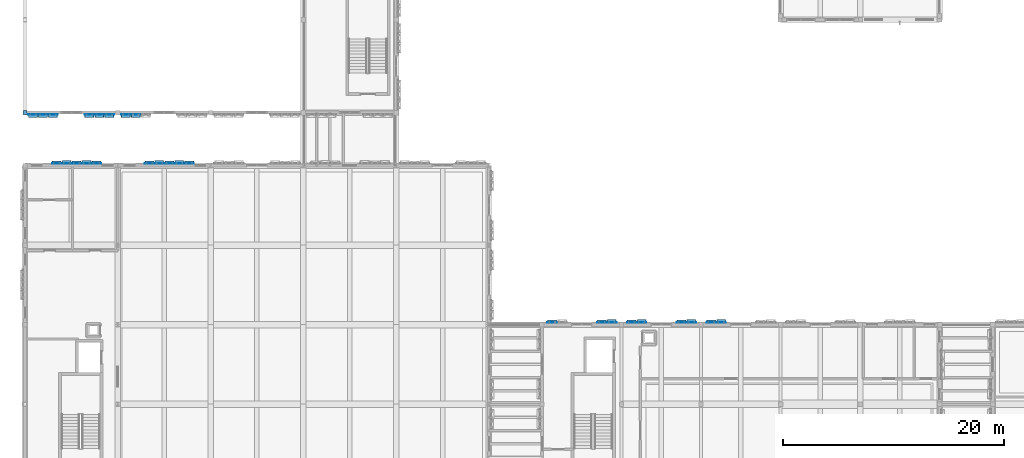
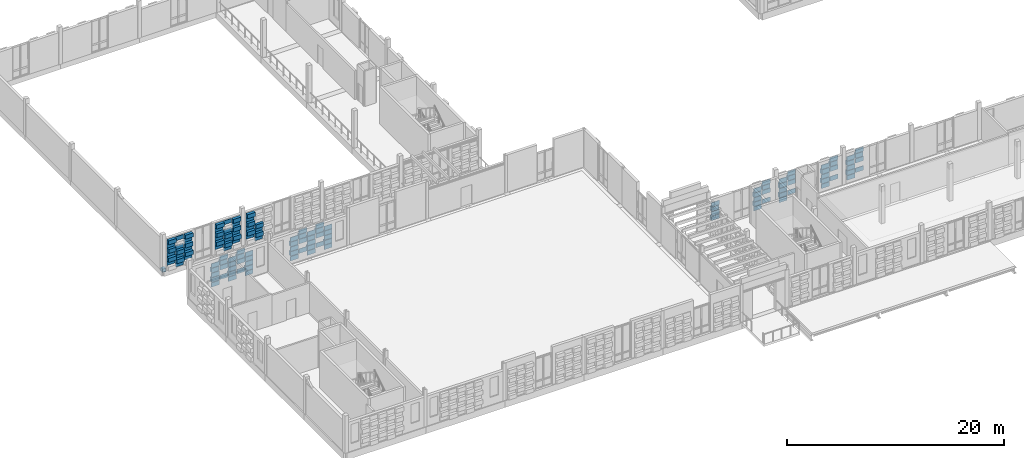
# One storey, part 57 of 99: 133 plates.
"""IFC4 building model written with IfcOpenShell, lengths in metres."""

from ifc_helpers import new_model, si_unit, direction, frame, origin, origin_2d, place, context, subcontext, project, spatial, rectangle, extrude, material, layer, layer_set, type_object, element, save


model = new_model("IFC4")

# Units and contexts
model_context = context("Model", 3, precision=1e-05, world=origin(), true_north=direction((0.0, 1.0)))
body_context = subcontext(model_context, "Body", "Model", "MODEL_VIEW")
ifc_project = project(units=[si_unit("LENGTHUNIT", "METRE"), si_unit("AREAUNIT", "SQUARE_METRE"), si_unit("VOLUMEUNIT", "CUBIC_METRE"), si_unit("PLANEANGLEUNIT", "RADIAN"), si_unit("MASSUNIT", "GRAM", prefix="KILO")], contexts=[model_context])

# Site, building, storey
site_placement = place(None, origin())
site = spatial("IfcSite", under=ifc_project, at=site_placement, CompositionType="ELEMENT")
building_placement = place(site_placement, origin())
building = spatial("IfcBuilding", under=site, at=building_placement, Name="Kahlenmark Community Centre", CompositionType="ELEMENT")
storey_placement = place(building_placement, frame((0.0, 0.0, 5.39990234375)))
storey = spatial("IfcBuildingStorey", under=building, at=storey_placement, Name="L01", CompositionType="ELEMENT", Elevation=5.39990234375)

# Plates
ifc_material_1 = material(Name="Extruded warm terracotta recessed weave tile", Category="masonry")
ifc_layer_1 = layer(ifc_material_1, 0.06005859375)
ifc_layer_set_1 = layer_set([ifc_layer_1], Name="Extruded warm terracotta recessed weave tile")
plate_type_1 = type_object("IfcPlateType", Name="PLT-TC-TC-R10-840X60X450", PredefinedType="SHEET", material=ifc_layer_set_1)
for number, where, z_axis, x_axis, name in (
    (1, (5.6298828125, 42.219970703125, 0.10009765625), (0.0, 0.0, 1.0), (1.0, 0.0, 0.0), "Basketweave terracotta cassette 0492"),
    (2, (5.6298828125, 42.219970703125, 1.080078125), (0.0, 0.0, 1.0), (1.0, 0.0, 0.0), "Basketweave terracotta cassette 0494"),
    (3, (5.6298828125, 42.219970703125, 2.06005859375), (0.0, 0.0, 1.0), (1.0, 0.0, 0.0), "Basketweave terracotta cassette 0496"),
    (4, (5.6298828125, 42.219970703125, 3.0400390625), (0.0, 0.0, 1.0), (1.0, 0.0, 0.0), "Basketweave terracotta cassette 0498"),
    (5, (10.72998046875, 42.219970703125, 0.10009765625), (0.0, 0.0, 1.0), (1.0, 0.0, 0.0), "Basketweave terracotta cassette 0513"),
    (6, (10.72998046875, 42.219970703125, 1.080078125), (0.0, 0.0, 1.0), (1.0, 0.0, 0.0), "Basketweave terracotta cassette 0515"),
    (7, (10.72998046875, 42.219970703125, 2.06005859375), (0.0, 0.0, 1.0), (1.0, 0.0, 0.0), "Basketweave terracotta cassette 0517"),
    (8, (10.72998046875, 42.219970703125, 3.0400390625), (0.0, 0.0, 1.0), (1.0, 0.0, 0.0), "Basketweave terracotta cassette 0519"),
    (9, (14.030029296875, 42.219970703125, 0.10009765625), (0.0, 0.0, 1.0), (1.0, 0.0, 0.0), "Basketweave terracotta cassette 0534"),
    (10, (14.030029296875, 42.219970703125, 1.080078125), (0.0, 0.0, 1.0), (1.0, 0.0, 0.0), "Basketweave terracotta cassette 0536"),
):
    element("IfcPlate", number, at=place(storey_placement, frame(where, z_axis=z_axis, x_axis=x_axis)), inside=storey, type_object=plate_type_1, Name=name, PredefinedType="SHEET", context=body_context, shape_type="SweptSolid", body=[
        extrude(rectangle(XDim=0.840087890625, YDim=0.06005859375, at=origin_2d()), origin(), (0.0, 0.0, 1.0), 0.449951171875),
    ])
ifc_layer_2 = layer(ifc_material_1, 0.06005859375)
ifc_layer_set_2 = layer_set([ifc_layer_2], Name="Extruded warm terracotta recessed weave tile")
plate_type_2 = type_object("IfcPlateType", Name="PLT-TC-TC-R10-840X60X468", PredefinedType="SHEET", material=ifc_layer_set_2)
for number, where, z_axis, x_axis, name in (
    (11, (56.219970703125, 23.3798828125, 0.10009765625), (0.0, 0.0, 1.0), (-1.0, 0.0, 0.0), "Basketweave terracotta cassette 1055"),
    (12, (56.219970703125, 23.3798828125, 1.1162109375), (0.0, 0.0, 1.0), (-1.0, 0.0, 0.0), "Basketweave terracotta cassette 1057"),
    (13, (56.219970703125, 23.3798828125, 2.13232421875), (0.0, 0.0, 1.0), (-1.0, 0.0, 0.0), "Basketweave terracotta cassette 1059"),
    (14, (51.719970703125, 23.3798828125, 1.1162109375), (0.0, 0.0, 1.0), (-1.0, 0.0, 0.0), "Basketweave terracotta cassette 1069"),
    (15, (51.719970703125, 23.3798828125, 2.13232421875), (0.0, 0.0, 1.0), (-1.0, 0.0, 0.0), "Basketweave terracotta cassette 1071"),
):
    element("IfcPlate", number, at=place(storey_placement, frame(where, z_axis=z_axis, x_axis=x_axis)), inside=storey, type_object=plate_type_2, Name=name, PredefinedType="SHEET", context=body_context, shape_type="SweptSolid", body=[
        extrude(rectangle(XDim=0.840087890625, YDim=0.06005859375, at=origin_2d()), origin(), (0.0, 0.0, 1.0), 0.468017578125),
    ])
ifc_layer_3 = layer(ifc_material_1, 0.06005859375)
ifc_layer_set_3 = layer_set([ifc_layer_3], Name="Extruded warm terracotta recessed weave tile")
plate_type_3 = type_object("IfcPlateType", Name="PLT-TC-TC-R10-840X60X492", PredefinedType="SHEET", material=ifc_layer_set_3)
for number, where, z_axis, x_axis, name in (
    (16, (10.469970703125, 37.780029296875, 0.10009765625), (0.0, 0.0, 1.0), (-1.0, 0.0, 0.0), "Basketweave terracotta cassette 0181"),
    (17, (10.469970703125, 37.780029296875, 1.1640625), (0.0, 0.0, 1.0), (-1.0, 0.0, 0.0), "Basketweave terracotta cassette 0183"),
    (18, (10.469970703125, 37.780029296875, 2.22802734375), (0.0, 0.0, 1.0), (-1.0, 0.0, 0.0), "Basketweave terracotta cassette 0185"),
    (19, (8.669921875, 37.780029296875, 0.10009765625), (0.0, 0.0, 1.0), (-1.0, 0.0, 0.0), "Basketweave terracotta cassette 0193"),
    (20, (8.669921875, 37.780029296875, 1.1640625), (0.0, 0.0, 1.0), (-1.0, 0.0, 0.0), "Basketweave terracotta cassette 0195"),
    (21, (8.669921875, 37.780029296875, 2.22802734375), (0.0, 0.0, 1.0), (-1.0, 0.0, 0.0), "Basketweave terracotta cassette 0197"),
    (22, (6.8701171875, 37.780029296875, 0.10009765625), (0.0, 0.0, 1.0), (-1.0, 0.0, 0.0), "Basketweave terracotta cassette 0205"),
    (23, (6.8701171875, 37.780029296875, 1.1640625), (0.0, 0.0, 1.0), (-1.0, 0.0, 0.0), "Basketweave terracotta cassette 0207"),
    (24, (6.8701171875, 37.780029296875, 2.22802734375), (0.0, 0.0, 1.0), (-1.0, 0.0, 0.0), "Basketweave terracotta cassette 0209"),
    (25, (18.8701171875, 37.780029296875, 0.10009765625), (0.0, 0.0, 1.0), (-1.0, 0.0, 0.0), "Basketweave terracotta cassette 0211"),
    (26, (18.8701171875, 37.780029296875, 1.1640625), (0.0, 0.0, 1.0), (-1.0, 0.0, 0.0), "Basketweave terracotta cassette 0213"),
    (27, (18.8701171875, 37.780029296875, 2.22802734375), (0.0, 0.0, 1.0), (-1.0, 0.0, 0.0), "Basketweave terracotta cassette 0215"),
    (28, (17.070068359375, 37.780029296875, 0.10009765625), (0.0, 0.0, 1.0), (-1.0, 0.0, 0.0), "Basketweave terracotta cassette 0223"),
    (29, (17.070068359375, 37.780029296875, 1.1640625), (0.0, 0.0, 1.0), (-1.0, 0.0, 0.0), "Basketweave terracotta cassette 0225"),
    (30, (17.070068359375, 37.780029296875, 2.22802734375), (0.0, 0.0, 1.0), (-1.0, 0.0, 0.0), "Basketweave terracotta cassette 0227"),
    (31, (15.27001953125, 37.780029296875, 0.10009765625), (0.0, 0.0, 1.0), (-1.0, 0.0, 0.0), "Basketweave terracotta cassette 0235"),
    (32, (15.27001953125, 37.780029296875, 1.1640625), (0.0, 0.0, 1.0), (-1.0, 0.0, 0.0), "Basketweave terracotta cassette 0237"),
    (33, (15.27001953125, 37.780029296875, 2.22802734375), (0.0, 0.0, 1.0), (-1.0, 0.0, 0.0), "Basketweave terracotta cassette 0239"),
):
    element("IfcPlate", number, at=place(storey_placement, frame(where, z_axis=z_axis, x_axis=x_axis)), inside=storey, type_object=plate_type_3, Name=name, PredefinedType="SHEET", context=body_context, shape_type="SweptSolid", body=[
        extrude(rectangle(XDim=0.840087890625, YDim=0.06005859375, at=origin_2d()), origin(), (0.0, 0.0, 1.0), 0.491943359375),
    ])
ifc_layer_4 = layer(ifc_material_1, 0.06005859375)
ifc_layer_set_4 = layer_set([ifc_layer_4], Name="Extruded warm terracotta recessed weave tile")
plate_type_4 = type_object("IfcPlateType", Name="PLT-TC-TC-R10-840X60X495", PredefinedType="SHEET", material=ifc_layer_set_4)
for number, where, z_axis, x_axis, name in (
    (34, (63.419921875, 23.3798828125, 0.10009765625), (0.0, 0.0, 1.0), (-1.0, 0.0, 0.0), "Basketweave terracotta cassette 1079"),
    (35, (63.419921875, 23.3798828125, 1.169921875), (0.0, 0.0, 1.0), (-1.0, 0.0, 0.0), "Basketweave terracotta cassette 1081"),
    (36, (63.419921875, 23.3798828125, 2.239990234375), (0.0, 0.0, 1.0), (-1.0, 0.0, 0.0), "Basketweave terracotta cassette 1083"),
    (37, (58.919921875, 23.3798828125, 0.10009765625), (0.0, 0.0, 1.0), (-1.0, 0.0, 0.0), "Basketweave terracotta cassette 1091"),
    (38, (58.919921875, 23.3798828125, 1.169921875), (0.0, 0.0, 1.0), (-1.0, 0.0, 0.0), "Basketweave terracotta cassette 1093"),
    (39, (58.919921875, 23.3798828125, 2.239990234375), (0.0, 0.0, 1.0), (-1.0, 0.0, 0.0), "Basketweave terracotta cassette 1095"),
    (40, (66.1201171875, 23.3798828125, 0.10009765625), (0.0, 0.0, 1.0), (-1.0, 0.0, 0.0), "Basketweave terracotta cassette 1115"),
    (41, (66.1201171875, 23.3798828125, 1.169921875), (0.0, 0.0, 1.0), (-1.0, 0.0, 0.0), "Basketweave terracotta cassette 1117"),
    (42, (66.1201171875, 23.3798828125, 2.239990234375), (0.0, 0.0, 1.0), (-1.0, 0.0, 0.0), "Basketweave terracotta cassette 1119"),
):
    element("IfcPlate", number, at=place(storey_placement, frame(where, z_axis=z_axis, x_axis=x_axis)), inside=storey, type_object=plate_type_4, Name=name, PredefinedType="SHEET", context=body_context, shape_type="SweptSolid", body=[
        extrude(rectangle(XDim=0.840087890625, YDim=0.06005859375, at=origin_2d()), origin(), (0.0, 0.0, 1.0), 0.4951171875),
    ])
ifc_layer_5 = layer(ifc_material_1, 0.06005859375)
ifc_layer_set_5 = layer_set([ifc_layer_5], Name="Extruded warm terracotta recessed weave tile")
plate_type_5 = type_object("IfcPlateType", Name="PLT-TC-TC-R10-860X60X450", PredefinedType="SHEET", material=ifc_layer_set_5)
for number, where, z_axis, x_axis, name in (
    (43, (4.72998046875, 42.219970703125, 0.59033203125), (0.0, 0.0, 1.0), (1.0, 0.0, 0.0), "Basketweave terracotta cassette 0486"),
    (44, (4.72998046875, 42.219970703125, 1.5703125), (0.0, 0.0, 1.0), (1.0, 0.0, 0.0), "Basketweave terracotta cassette 0488"),
    (45, (4.72998046875, 42.219970703125, 2.55029296875), (0.0, 0.0, 1.0), (1.0, 0.0, 0.0), "Basketweave terracotta cassette 0490"),
    (46, (6.530029296875, 42.219970703125, 0.59033203125), (0.0, 0.0, 1.0), (1.0, 0.0, 0.0), "Basketweave terracotta cassette 0500"),
    (47, (6.530029296875, 42.219970703125, 1.5703125), (0.0, 0.0, 1.0), (1.0, 0.0, 0.0), "Basketweave terracotta cassette 0502"),
    (48, (6.530029296875, 42.219970703125, 2.55029296875), (0.0, 0.0, 1.0), (1.0, 0.0, 0.0), "Basketweave terracotta cassette 0504"),
    (49, (9.830078125, 42.219970703125, 0.59033203125), (0.0, 0.0, 1.0), (1.0, 0.0, 0.0), "Basketweave terracotta cassette 0507"),
    (50, (9.830078125, 42.219970703125, 1.5703125), (0.0, 0.0, 1.0), (1.0, 0.0, 0.0), "Basketweave terracotta cassette 0509"),
    (51, (9.830078125, 42.219970703125, 2.55029296875), (0.0, 0.0, 1.0), (1.0, 0.0, 0.0), "Basketweave terracotta cassette 0511"),
    (52, (11.6298828125, 42.219970703125, 0.59033203125), (0.0, 0.0, 1.0), (1.0, 0.0, 0.0), "Basketweave terracotta cassette 0521"),
    (53, (11.6298828125, 42.219970703125, 1.5703125), (0.0, 0.0, 1.0), (1.0, 0.0, 0.0), "Basketweave terracotta cassette 0523"),
    (54, (11.6298828125, 42.219970703125, 2.55029296875), (0.0, 0.0, 1.0), (1.0, 0.0, 0.0), "Basketweave terracotta cassette 0525"),
    (55, (13.1298828125, 42.219970703125, 0.59033203125), (0.0, 0.0, 1.0), (1.0, 0.0, 0.0), "Basketweave terracotta cassette 0528"),
    (56, (13.1298828125, 42.219970703125, 1.5703125), (0.0, 0.0, 1.0), (1.0, 0.0, 0.0), "Basketweave terracotta cassette 0530"),
    (57, (13.1298828125, 42.219970703125, 2.55029296875), (0.0, 0.0, 1.0), (1.0, 0.0, 0.0), "Basketweave terracotta cassette 0532"),
):
    element("IfcPlate", number, at=place(storey_placement, frame(where, z_axis=z_axis, x_axis=x_axis)), inside=storey, type_object=plate_type_5, Name=name, PredefinedType="SHEET", context=body_context, shape_type="SweptSolid", body=[
        extrude(rectangle(XDim=0.860107421875, YDim=0.06005859375, at=origin_2d()), origin(), (0.0, 0.0, 1.0), 0.449951171875),
    ])
ifc_layer_6 = layer(ifc_material_1, 0.06005859375)
ifc_layer_set_6 = layer_set([ifc_layer_6], Name="Extruded warm terracotta recessed weave tile")
plate_type_6 = type_object("IfcPlateType", Name="PLT-TC-TC-R10-860X60X468", PredefinedType="SHEET", material=ifc_layer_set_6)
for number, where, z_axis, x_axis, name in (
    (58, (57.1201171875, 23.3798828125, 0.60791015625), (0.0, 0.0, 1.0), (-1.0, 0.0, 0.0), "Basketweave terracotta cassette 1050"),
    (59, (57.1201171875, 23.3798828125, 1.6240234375), (0.0, 0.0, 1.0), (-1.0, 0.0, 0.0), "Basketweave terracotta cassette 1052"),
    (60, (57.1201171875, 23.3798828125, 2.64013671875), (0.0, 0.0, 1.0), (-1.0, 0.0, 0.0), "Basketweave terracotta cassette 1054"),
):
    element("IfcPlate", number, at=place(storey_placement, frame(where, z_axis=z_axis, x_axis=x_axis)), inside=storey, type_object=plate_type_6, Name=name, PredefinedType="SHEET", context=body_context, shape_type="SweptSolid", body=[
        extrude(rectangle(XDim=0.860107421875, YDim=0.06005859375, at=origin_2d()), origin(), (0.0, 0.0, 1.0), 0.468017578125),
    ])
ifc_layer_7 = layer(ifc_material_1, 0.06005859375)
ifc_layer_set_7 = layer_set([ifc_layer_7], Name="Extruded warm terracotta recessed weave tile")
plate_type_7 = type_object("IfcPlateType", Name="PLT-TC-TC-R10-860X60X492", PredefinedType="SHEET", material=ifc_layer_set_7)
for number, where, z_axis, x_axis, name in (
    (61, (9.570068359375, 37.780029296875, 0.63232421875), (0.0, 0.0, 1.0), (-1.0, 0.0, 0.0), "Basketweave terracotta cassette 0188"),
    (62, (9.570068359375, 37.780029296875, 1.6962890625), (0.0, 0.0, 1.0), (-1.0, 0.0, 0.0), "Basketweave terracotta cassette 0190"),
    (63, (9.570068359375, 37.780029296875, 2.76025390625), (0.0, 0.0, 1.0), (-1.0, 0.0, 0.0), "Basketweave terracotta cassette 0192"),
    (64, (7.77001953125, 37.780029296875, 0.63232421875), (0.0, 0.0, 1.0), (-1.0, 0.0, 0.0), "Basketweave terracotta cassette 0200"),
    (65, (7.77001953125, 37.780029296875, 1.6962890625), (0.0, 0.0, 1.0), (-1.0, 0.0, 0.0), "Basketweave terracotta cassette 0202"),
    (66, (7.77001953125, 37.780029296875, 2.76025390625), (0.0, 0.0, 1.0), (-1.0, 0.0, 0.0), "Basketweave terracotta cassette 0204"),
    (67, (17.969970703125, 37.780029296875, 0.63232421875), (0.0, 0.0, 1.0), (-1.0, 0.0, 0.0), "Basketweave terracotta cassette 0218"),
    (68, (17.969970703125, 37.780029296875, 1.6962890625), (0.0, 0.0, 1.0), (-1.0, 0.0, 0.0), "Basketweave terracotta cassette 0220"),
    (69, (17.969970703125, 37.780029296875, 2.76025390625), (0.0, 0.0, 1.0), (-1.0, 0.0, 0.0), "Basketweave terracotta cassette 0222"),
    (70, (16.169921875, 37.780029296875, 0.63232421875), (0.0, 0.0, 1.0), (-1.0, 0.0, 0.0), "Basketweave terracotta cassette 0230"),
    (71, (16.169921875, 37.780029296875, 1.6962890625), (0.0, 0.0, 1.0), (-1.0, 0.0, 0.0), "Basketweave terracotta cassette 0232"),
    (72, (16.169921875, 37.780029296875, 2.76025390625), (0.0, 0.0, 1.0), (-1.0, 0.0, 0.0), "Basketweave terracotta cassette 0234"),
):
    element("IfcPlate", number, at=place(storey_placement, frame(where, z_axis=z_axis, x_axis=x_axis)), inside=storey, type_object=plate_type_7, Name=name, PredefinedType="SHEET", context=body_context, shape_type="SweptSolid", body=[
        extrude(rectangle(XDim=0.860107421875, YDim=0.06005859375, at=origin_2d()), origin(), (0.0, 0.0, 1.0), 0.491943359375),
    ])
ifc_layer_8 = layer(ifc_material_1, 0.06005859375)
ifc_layer_set_8 = layer_set([ifc_layer_8], Name="Extruded warm terracotta recessed weave tile")
plate_type_8 = type_object("IfcPlateType", Name="PLT-TC-TC-R10-860X60X495", PredefinedType="SHEET", material=ifc_layer_set_8)
for number, where, z_axis, x_axis, name in (
    (73, (64.320068359375, 23.3798828125, 0.635009765625), (0.0, 0.0, 1.0), (-1.0, 0.0, 0.0), "Basketweave terracotta cassette 1074"),
    (74, (64.320068359375, 23.3798828125, 1.705078125), (0.0, 0.0, 1.0), (-1.0, 0.0, 0.0), "Basketweave terracotta cassette 1076"),
    (75, (64.320068359375, 23.3798828125, 2.775146484375), (0.0, 0.0, 1.0), (-1.0, 0.0, 0.0), "Basketweave terracotta cassette 1078"),
    (76, (59.820068359375, 23.3798828125, 0.635009765625), (0.0, 0.0, 1.0), (-1.0, 0.0, 0.0), "Basketweave terracotta cassette 1086"),
    (77, (59.820068359375, 23.3798828125, 1.705078125), (0.0, 0.0, 1.0), (-1.0, 0.0, 0.0), "Basketweave terracotta cassette 1088"),
    (78, (59.820068359375, 23.3798828125, 2.775146484375), (0.0, 0.0, 1.0), (-1.0, 0.0, 0.0), "Basketweave terracotta cassette 1090"),
    (79, (67.02001953125, 23.3798828125, 0.635009765625), (0.0, 0.0, 1.0), (-1.0, 0.0, 0.0), "Basketweave terracotta cassette 1110"),
    (80, (67.02001953125, 23.3798828125, 1.705078125), (0.0, 0.0, 1.0), (-1.0, 0.0, 0.0), "Basketweave terracotta cassette 1112"),
    (81, (67.02001953125, 23.3798828125, 2.775146484375), (0.0, 0.0, 1.0), (-1.0, 0.0, 0.0), "Basketweave terracotta cassette 1114"),
):
    element("IfcPlate", number, at=place(storey_placement, frame(where, z_axis=z_axis, x_axis=x_axis)), inside=storey, type_object=plate_type_8, Name=name, PredefinedType="SHEET", context=body_context, shape_type="SweptSolid", body=[
        extrude(rectangle(XDim=0.860107421875, YDim=0.06005859375, at=origin_2d()), origin(), (0.0, 0.0, 1.0), 0.4951171875),
    ])
ifc_material_2 = material(Name="Extruded glazed terracotta weave cassette", Category="masonry")
ifc_layer_9 = layer(ifc_material_2, 0.300048828125)
ifc_layer_set_9 = layer_set([ifc_layer_9], Name="Extruded glazed terracotta weave cassette")
plate_type_9 = type_object("IfcPlateType", Name="PLT-TC-TC-R34-780X300X450", PredefinedType="SHEET", material=ifc_layer_set_9)
for number, where, z_axis, x_axis, name in (
    (82, (4.72998046875, 42.10009765625, 2.06005859375), (0.0, 0.0, 1.0), (1.0, 0.0, 0.0), "Basketweave terracotta cassette 0489"),
    (83, (6.530029296875, 42.10009765625, 2.06005859375), (0.0, 0.0, 1.0), (1.0, 0.0, 0.0), "Basketweave terracotta cassette 0503"),
    (84, (9.830078125, 42.10009765625, 2.06005859375), (0.0, 0.0, 1.0), (1.0, 0.0, 0.0), "Basketweave terracotta cassette 0510"),
    (85, (11.6298828125, 42.10009765625, 2.06005859375), (0.0, 0.0, 1.0), (1.0, 0.0, 0.0), "Basketweave terracotta cassette 0524"),
    (86, (13.1298828125, 42.10009765625, 2.06005859375), (0.0, 0.0, 1.0), (1.0, 0.0, 0.0), "Basketweave terracotta cassette 0531"),
):
    element("IfcPlate", number, at=place(storey_placement, frame(where, z_axis=z_axis, x_axis=x_axis)), inside=storey, type_object=plate_type_9, Name=name, PredefinedType="SHEET", context=body_context, shape_type="SweptSolid", body=[
        extrude(rectangle(XDim=0.780029296875, YDim=0.300048828125, at=origin_2d()), origin(), (0.0, 0.0, 1.0), 0.449951171875),
    ])
ifc_layer_10 = layer(ifc_material_2, 0.300048828125)
ifc_layer_set_10 = layer_set([ifc_layer_10], Name="Extruded glazed terracotta weave cassette")
plate_type_10 = type_object("IfcPlateType", Name="PLT-TC-TC-R34-780X300X468", PredefinedType="SHEET", material=ifc_layer_set_10)
plate_1_placement = place(storey_placement, frame((57.1201171875, 23.5, 2.13232421875), z_axis=(0.0, 0.0, 1.0), x_axis=(-1.0, 0.0, 0.0)))
element("IfcPlate", 87, at=plate_1_placement, inside=storey, type_object=plate_type_10, Name="Basketweave terracotta cassette 1053", PredefinedType="SHEET", context=body_context, shape_type="SweptSolid", body=[
    extrude(rectangle(XDim=0.780029296875, YDim=0.300048828125, at=origin_2d()), origin(), (0.0, 0.0, 1.0), 0.468017578125),
])
ifc_layer_11 = layer(ifc_material_2, 0.300048828125)
ifc_layer_set_11 = layer_set([ifc_layer_11], Name="Extruded glazed terracotta weave cassette")
plate_type_11 = type_object("IfcPlateType", Name="PLT-TC-TC-R34-780X300X492", PredefinedType="SHEET", material=ifc_layer_set_11)
for number, where, z_axis, x_axis, name in (
    (88, (9.570068359375, 37.89990234375, 2.22802734375), (0.0, 0.0, 1.0), (-1.0, 0.0, 0.0), "Basketweave terracotta cassette 0191"),
    (89, (7.77001953125, 37.89990234375, 2.22802734375), (0.0, 0.0, 1.0), (-1.0, 0.0, 0.0), "Basketweave terracotta cassette 0203"),
    (90, (17.969970703125, 37.89990234375, 2.22802734375), (0.0, 0.0, 1.0), (-1.0, 0.0, 0.0), "Basketweave terracotta cassette 0221"),
    (91, (16.169921875, 37.89990234375, 2.22802734375), (0.0, 0.0, 1.0), (-1.0, 0.0, 0.0), "Basketweave terracotta cassette 0233"),
):
    element("IfcPlate", number, at=place(storey_placement, frame(where, z_axis=z_axis, x_axis=x_axis)), inside=storey, type_object=plate_type_11, Name=name, PredefinedType="SHEET", context=body_context, shape_type="SweptSolid", body=[
        extrude(rectangle(XDim=0.780029296875, YDim=0.300048828125, at=origin_2d()), origin(), (0.0, 0.0, 1.0), 0.491943359375),
    ])
ifc_layer_12 = layer(ifc_material_2, 0.300048828125)
ifc_layer_set_12 = layer_set([ifc_layer_12], Name="Extruded glazed terracotta weave cassette")
plate_type_12 = type_object("IfcPlateType", Name="PLT-TC-TC-R34-780X300X495", PredefinedType="SHEET", material=ifc_layer_set_12)
for number, where, z_axis, x_axis, name in (
    (92, (64.320068359375, 23.5, 2.239990234375), (0.0, 0.0, 1.0), (-1.0, 0.0, 0.0), "Basketweave terracotta cassette 1077"),
    (93, (59.820068359375, 23.5, 2.239990234375), (0.0, 0.0, 1.0), (-1.0, 0.0, 0.0), "Basketweave terracotta cassette 1089"),
    (94, (67.02001953125, 23.5, 2.239990234375), (0.0, 0.0, 1.0), (-1.0, 0.0, 0.0), "Basketweave terracotta cassette 1113"),
):
    element("IfcPlate", number, at=place(storey_placement, frame(where, z_axis=z_axis, x_axis=x_axis)), inside=storey, type_object=plate_type_12, Name=name, PredefinedType="SHEET", context=body_context, shape_type="SweptSolid", body=[
        extrude(rectangle(XDim=0.780029296875, YDim=0.300048828125, at=origin_2d()), origin(), (0.0, 0.0, 1.0), 0.4951171875),
    ])
ifc_layer_13 = layer(ifc_material_2, 0.300048828125)
ifc_layer_set_13 = layer_set([ifc_layer_13], Name="Extruded glazed terracotta weave cassette")
plate_type_13 = type_object("IfcPlateType", Name="PLT-TC-TC-R34-820X300X450", PredefinedType="SHEET", material=ifc_layer_set_13)
for number, where, z_axis, x_axis, name in (
    (95, (4.72998046875, 42.10009765625, 3.0400390625), (0.0, 0.0, 1.0), (1.0, 0.0, 0.0), "Basketweave terracotta cassette 0491"),
    (96, (6.530029296875, 42.10009765625, 3.0400390625), (0.0, 0.0, 1.0), (1.0, 0.0, 0.0), "Basketweave terracotta cassette 0505"),
    (97, (9.830078125, 42.10009765625, 3.0400390625), (0.0, 0.0, 1.0), (1.0, 0.0, 0.0), "Basketweave terracotta cassette 0512"),
    (98, (11.6298828125, 42.10009765625, 3.0400390625), (0.0, 0.0, 1.0), (1.0, 0.0, 0.0), "Basketweave terracotta cassette 0526"),
    (99, (13.1298828125, 42.10009765625, 3.0400390625), (0.0, 0.0, 1.0), (1.0, 0.0, 0.0), "Basketweave terracotta cassette 0533"),
):
    element("IfcPlate", number, at=place(storey_placement, frame(where, z_axis=z_axis, x_axis=x_axis)), inside=storey, type_object=plate_type_13, Name=name, PredefinedType="SHEET", context=body_context, shape_type="SweptSolid", body=[
        extrude(rectangle(XDim=0.820068359375, YDim=0.300048828125, at=origin_2d()), origin(), (0.0, 0.0, 1.0), 0.449951171875),
    ])
ifc_layer_14 = layer(ifc_material_2, 0.300048828125)
ifc_layer_set_14 = layer_set([ifc_layer_14], Name="Extruded glazed terracotta weave cassette")
plate_type_14 = type_object("IfcPlateType", Name="PLT-TC-TC-R34-840X300X450", PredefinedType="SHEET", material=ifc_layer_set_14)
for number, where, z_axis, x_axis, name in (
    (100, (4.72998046875, 42.10009765625, 1.080078125), (0.0, 0.0, 1.0), (1.0, 0.0, 0.0), "Basketweave terracotta cassette 0487"),
    (101, (6.530029296875, 42.10009765625, 1.080078125), (0.0, 0.0, 1.0), (1.0, 0.0, 0.0), "Basketweave terracotta cassette 0501"),
    (102, (9.830078125, 42.10009765625, 1.080078125), (0.0, 0.0, 1.0), (1.0, 0.0, 0.0), "Basketweave terracotta cassette 0508"),
    (103, (11.6298828125, 42.10009765625, 1.080078125), (0.0, 0.0, 1.0), (1.0, 0.0, 0.0), "Basketweave terracotta cassette 0522"),
    (104, (13.1298828125, 42.10009765625, 1.080078125), (0.0, 0.0, 1.0), (1.0, 0.0, 0.0), "Basketweave terracotta cassette 0529"),
):
    element("IfcPlate", number, at=place(storey_placement, frame(where, z_axis=z_axis, x_axis=x_axis)), inside=storey, type_object=plate_type_14, Name=name, PredefinedType="SHEET", context=body_context, shape_type="SweptSolid", body=[
        extrude(rectangle(XDim=0.840087890625, YDim=0.300048828125, at=origin_2d()), origin(), (0.0, 0.0, 1.0), 0.449951171875),
    ])
ifc_layer_15 = layer(ifc_material_2, 0.280029296875)
ifc_layer_set_15 = layer_set([ifc_layer_15], Name="Extruded glazed terracotta weave cassette")
plate_type_15 = type_object("IfcPlateType", Name="PLT-TC-TC-W30-800X280X450", PredefinedType="SHEET", material=ifc_layer_set_15)
for number, where, z_axis, x_axis, name in (
    (105, (5.6298828125, 42.110107421875, 1.5703125), (0.0, 0.0, 1.0), (1.0, 0.0, 0.0), "Basketweave terracotta cassette 0495"),
    (106, (10.72998046875, 42.110107421875, 1.5703125), (0.0, 0.0, 1.0), (1.0, 0.0, 0.0), "Basketweave terracotta cassette 0516"),
    (107, (14.030029296875, 42.110107421875, 1.5703125), (0.0, 0.0, 1.0), (1.0, 0.0, 0.0), "Basketweave terracotta cassette 0537"),
):
    element("IfcPlate", number, at=place(storey_placement, frame(where, z_axis=z_axis, x_axis=x_axis)), inside=storey, type_object=plate_type_15, Name=name, PredefinedType="SHEET", context=body_context, shape_type="SweptSolid", body=[
        extrude(rectangle(XDim=0.800048828125, YDim=0.280029296875, at=origin_2d()), origin(), (0.0, 0.0, 1.0), 0.449951171875),
    ])
ifc_layer_16 = layer(ifc_material_2, 0.280029296875)
ifc_layer_set_16 = layer_set([ifc_layer_16], Name="Extruded glazed terracotta weave cassette")
plate_type_16 = type_object("IfcPlateType", Name="PLT-TC-TC-W30-800X280X468", PredefinedType="SHEET", material=ifc_layer_set_16)
for number, where, z_axis, x_axis, name in (
    (108, (56.219970703125, 23.489990234375, 1.6240234375), (0.0, 0.0, 1.0), (-1.0, 0.0, 0.0), "Basketweave terracotta cassette 1058"),
    (109, (51.719970703125, 23.489990234375, 1.6240234375), (0.0, 0.0, 1.0), (-1.0, 0.0, 0.0), "Basketweave terracotta cassette 1070"),
):
    element("IfcPlate", number, at=place(storey_placement, frame(where, z_axis=z_axis, x_axis=x_axis)), inside=storey, type_object=plate_type_16, Name=name, PredefinedType="SHEET", context=body_context, shape_type="SweptSolid", body=[
        extrude(rectangle(XDim=0.800048828125, YDim=0.280029296875, at=origin_2d()), origin(), (0.0, 0.0, 1.0), 0.468017578125),
    ])
ifc_layer_17 = layer(ifc_material_2, 0.280029296875)
ifc_layer_set_17 = layer_set([ifc_layer_17], Name="Extruded glazed terracotta weave cassette")
plate_type_17 = type_object("IfcPlateType", Name="PLT-TC-TC-W30-800X280X492", PredefinedType="SHEET", material=ifc_layer_set_17)
for number, where, z_axis, x_axis, name in (
    (110, (10.469970703125, 37.889892578125, 1.6962890625), (0.0, 0.0, 1.0), (-1.0, 0.0, 0.0), "Basketweave terracotta cassette 0184"),
    (111, (8.669921875, 37.889892578125, 1.6962890625), (0.0, 0.0, 1.0), (-1.0, 0.0, 0.0), "Basketweave terracotta cassette 0196"),
    (112, (6.8701171875, 37.889892578125, 1.6962890625), (0.0, 0.0, 1.0), (-1.0, 0.0, 0.0), "Basketweave terracotta cassette 0208"),
    (113, (18.8701171875, 37.889892578125, 1.6962890625), (0.0, 0.0, 1.0), (-1.0, 0.0, 0.0), "Basketweave terracotta cassette 0214"),
    (114, (17.070068359375, 37.889892578125, 1.6962890625), (0.0, 0.0, 1.0), (-1.0, 0.0, 0.0), "Basketweave terracotta cassette 0226"),
    (115, (15.27001953125, 37.889892578125, 1.6962890625), (0.0, 0.0, 1.0), (-1.0, 0.0, 0.0), "Basketweave terracotta cassette 0238"),
):
    element("IfcPlate", number, at=place(storey_placement, frame(where, z_axis=z_axis, x_axis=x_axis)), inside=storey, type_object=plate_type_17, Name=name, PredefinedType="SHEET", context=body_context, shape_type="SweptSolid", body=[
        extrude(rectangle(XDim=0.800048828125, YDim=0.280029296875, at=origin_2d()), origin(), (0.0, 0.0, 1.0), 0.491943359375),
    ])
ifc_layer_18 = layer(ifc_material_2, 0.280029296875)
ifc_layer_set_18 = layer_set([ifc_layer_18], Name="Extruded glazed terracotta weave cassette")
plate_type_18 = type_object("IfcPlateType", Name="PLT-TC-TC-W30-800X280X495", PredefinedType="SHEET", material=ifc_layer_set_18)
for number, where, z_axis, x_axis, name in (
    (116, (63.419921875, 23.489990234375, 1.705078125), (0.0, 0.0, 1.0), (-1.0, 0.0, 0.0), "Basketweave terracotta cassette 1082"),
    (117, (58.919921875, 23.489990234375, 1.705078125), (0.0, 0.0, 1.0), (-1.0, 0.0, 0.0), "Basketweave terracotta cassette 1094"),
    (118, (66.1201171875, 23.489990234375, 1.705078125), (0.0, 0.0, 1.0), (-1.0, 0.0, 0.0), "Basketweave terracotta cassette 1118"),
):
    element("IfcPlate", number, at=place(storey_placement, frame(where, z_axis=z_axis, x_axis=x_axis)), inside=storey, type_object=plate_type_18, Name=name, PredefinedType="SHEET", context=body_context, shape_type="SweptSolid", body=[
        extrude(rectangle(XDim=0.800048828125, YDim=0.280029296875, at=origin_2d()), origin(), (0.0, 0.0, 1.0), 0.4951171875),
    ])
ifc_layer_19 = layer(ifc_material_2, 0.280029296875)
ifc_layer_set_19 = layer_set([ifc_layer_19], Name="Extruded glazed terracotta weave cassette")
plate_type_19 = type_object("IfcPlateType", Name="PLT-TC-TC-W30-820X280X450", PredefinedType="SHEET", material=ifc_layer_set_19)
for number, where, z_axis, x_axis, name in (
    (119, (5.6298828125, 42.110107421875, 0.59033203125), (0.0, 0.0, 1.0), (1.0, 0.0, 0.0), "Basketweave terracotta cassette 0493"),
    (120, (10.72998046875, 42.110107421875, 0.59033203125), (0.0, 0.0, 1.0), (1.0, 0.0, 0.0), "Basketweave terracotta cassette 0514"),
    (121, (14.030029296875, 42.110107421875, 0.59033203125), (0.0, 0.0, 1.0), (1.0, 0.0, 0.0), "Basketweave terracotta cassette 0535"),
):
    element("IfcPlate", number, at=place(storey_placement, frame(where, z_axis=z_axis, x_axis=x_axis)), inside=storey, type_object=plate_type_19, Name=name, PredefinedType="SHEET", context=body_context, shape_type="SweptSolid", body=[
        extrude(rectangle(XDim=0.820068359375, YDim=0.280029296875, at=origin_2d()), origin(), (0.0, 0.0, 1.0), 0.449951171875),
    ])
ifc_layer_20 = layer(ifc_material_2, 0.280029296875)
ifc_layer_set_20 = layer_set([ifc_layer_20], Name="Extruded glazed terracotta weave cassette")
plate_type_20 = type_object("IfcPlateType", Name="PLT-TC-TC-W30-820X280X468", PredefinedType="SHEET", material=ifc_layer_set_20)
for number, where, z_axis, x_axis, name in (
    (122, (56.219970703125, 23.489990234375, 0.60791015625), (0.0, 0.0, 1.0), (-1.0, 0.0, 0.0), "Basketweave terracotta cassette 1056"),
    (123, (51.719970703125, 23.489990234375, 0.60791015625), (0.0, 0.0, 1.0), (-1.0, 0.0, 0.0), "Basketweave terracotta cassette 1068"),
):
    element("IfcPlate", number, at=place(storey_placement, frame(where, z_axis=z_axis, x_axis=x_axis)), inside=storey, type_object=plate_type_20, Name=name, PredefinedType="SHEET", context=body_context, shape_type="SweptSolid", body=[
        extrude(rectangle(XDim=0.820068359375, YDim=0.280029296875, at=origin_2d()), origin(), (0.0, 0.0, 1.0), 0.468017578125),
    ])
ifc_layer_21 = layer(ifc_material_2, 0.280029296875)
ifc_layer_set_21 = layer_set([ifc_layer_21], Name="Extruded glazed terracotta weave cassette")
plate_type_21 = type_object("IfcPlateType", Name="PLT-TC-TC-W30-820X280X492", PredefinedType="SHEET", material=ifc_layer_set_21)
for number, where, z_axis, x_axis, name in (
    (124, (10.469970703125, 37.889892578125, 0.63232421875), (0.0, 0.0, 1.0), (-1.0, 0.0, 0.0), "Basketweave terracotta cassette 0182"),
    (125, (8.669921875, 37.889892578125, 0.63232421875), (0.0, 0.0, 1.0), (-1.0, 0.0, 0.0), "Basketweave terracotta cassette 0194"),
    (126, (6.8701171875, 37.889892578125, 0.63232421875), (0.0, 0.0, 1.0), (-1.0, 0.0, 0.0), "Basketweave terracotta cassette 0206"),
    (127, (18.8701171875, 37.889892578125, 0.63232421875), (0.0, 0.0, 1.0), (-1.0, 0.0, 0.0), "Basketweave terracotta cassette 0212"),
    (128, (17.070068359375, 37.889892578125, 0.63232421875), (0.0, 0.0, 1.0), (-1.0, 0.0, 0.0), "Basketweave terracotta cassette 0224"),
    (129, (15.27001953125, 37.889892578125, 0.63232421875), (0.0, 0.0, 1.0), (-1.0, 0.0, 0.0), "Basketweave terracotta cassette 0236"),
):
    element("IfcPlate", number, at=place(storey_placement, frame(where, z_axis=z_axis, x_axis=x_axis)), inside=storey, type_object=plate_type_21, Name=name, PredefinedType="SHEET", context=body_context, shape_type="SweptSolid", body=[
        extrude(rectangle(XDim=0.820068359375, YDim=0.280029296875, at=origin_2d()), origin(), (0.0, 0.0, 1.0), 0.491943359375),
    ])
ifc_layer_22 = layer(ifc_material_2, 0.280029296875)
ifc_layer_set_22 = layer_set([ifc_layer_22], Name="Extruded glazed terracotta weave cassette")
plate_type_22 = type_object("IfcPlateType", Name="PLT-TC-TC-W30-820X280X495", PredefinedType="SHEET", material=ifc_layer_set_22)
for number, where, z_axis, x_axis, name in (
    (130, (63.419921875, 23.489990234375, 0.635009765625), (0.0, 0.0, 1.0), (-1.0, 0.0, 0.0), "Basketweave terracotta cassette 1080"),
    (131, (58.919921875, 23.489990234375, 0.635009765625), (0.0, 0.0, 1.0), (-1.0, 0.0, 0.0), "Basketweave terracotta cassette 1092"),
    (132, (66.1201171875, 23.489990234375, 0.635009765625), (0.0, 0.0, 1.0), (-1.0, 0.0, 0.0), "Basketweave terracotta cassette 1116"),
):
    element("IfcPlate", number, at=place(storey_placement, frame(where, z_axis=z_axis, x_axis=x_axis)), inside=storey, type_object=plate_type_22, Name=name, PredefinedType="SHEET", context=body_context, shape_type="SweptSolid", body=[
        extrude(rectangle(XDim=0.820068359375, YDim=0.280029296875, at=origin_2d()), origin(), (0.0, 0.0, 1.0), 0.4951171875),
    ])
ifc_material_3 = material(Name="Steel S355", Category="steel")
ifc_layer_23 = layer(ifc_material_3, 0.02392578125)
ifc_layer_set_23 = layer_set([ifc_layer_23], Name="Steel S355")
plate_type_23 = type_object("IfcPlateType", Name="PT-NODE-BN-01-35X35X35", PredefinedType="USERDEFINED", material=ifc_layer_set_23)
plate_2_placement = place(storey_placement, frame((4.0, 42.39990234375, -0.02490234375), z_axis=(0.0, 0.0, 1.0), x_axis=(1.0, 0.0, 0.0)))
element("IfcPlate", 133, at=plate_2_placement, inside=storey, type_object=plate_type_23, Name="Steel hollow-node cap plate 0337", ObjectType="STIFFENER_PLATE", PredefinedType="USERDEFINED", context=body_context, shape_type="SweptSolid", body=[
    extrude(rectangle(XDim=0.35009765625, YDim=0.35009765625, at=origin_2d()), origin(), (0.0, 0.0, 1.0), 0.35009765625),
])

save(model, "model.ifc")
